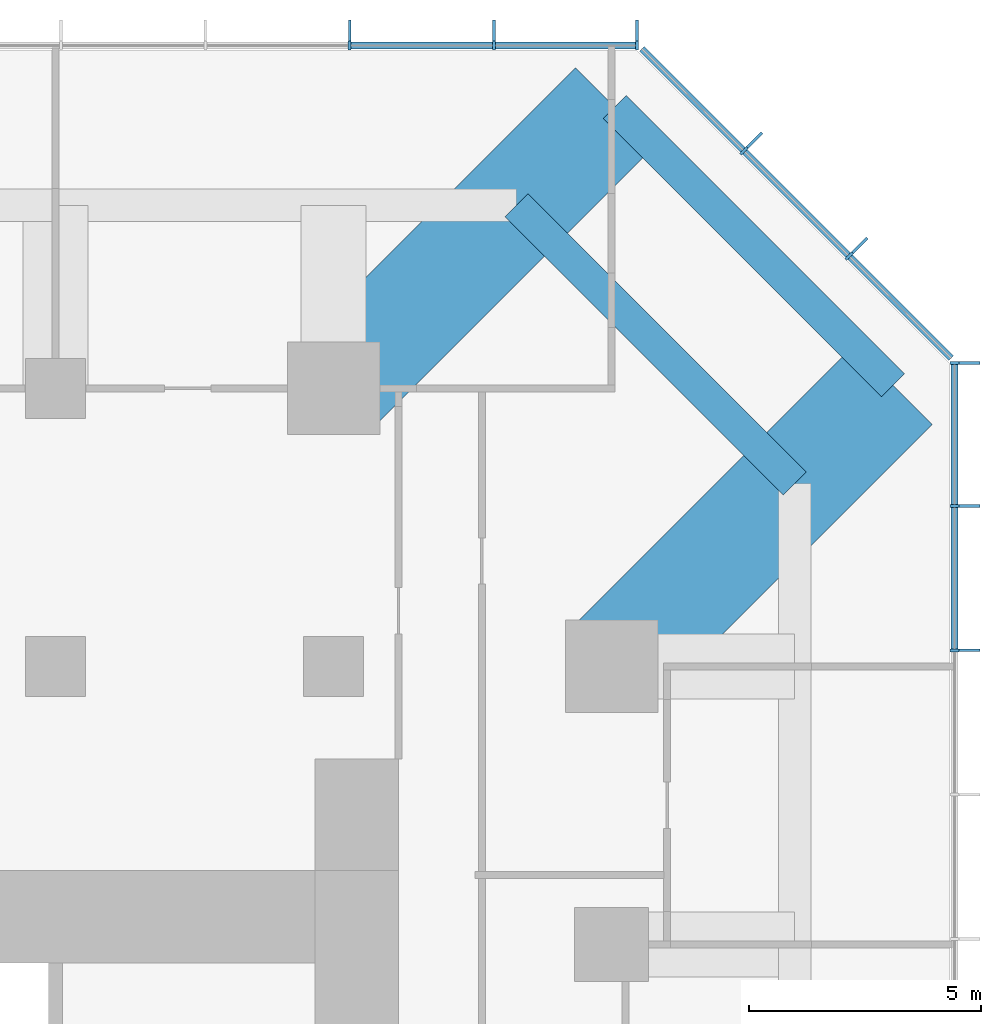
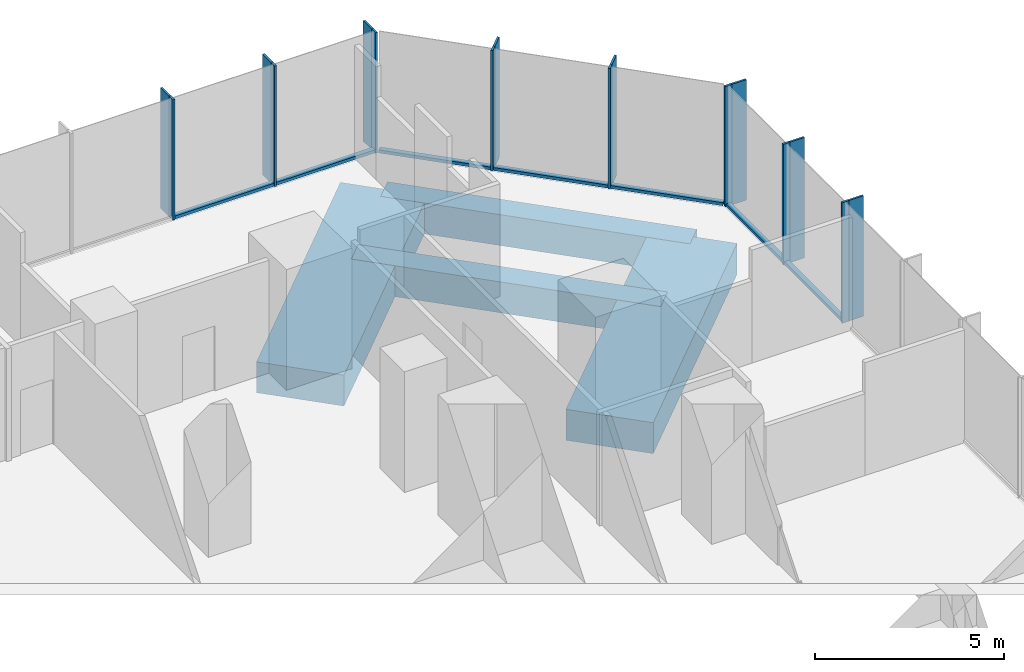
# One storey, part 6 of 11: 23 members, 4 beams, 3 elements without a shape of their own.
"""IFC4 building model written with IfcOpenShell, lengths in metres."""

from ifc_helpers import new_model, si_unit, direction, frame, origin, origin_2d, place, context, subcontext, project, spatial, rectangle, extrude, material, layer, layer_set, material_profile, profile_set, type_object, element, aggregate, save


model = new_model("IFC4")

# Units and contexts
model_context = context("Model", 3, precision=1e-05, world=origin(), true_north=direction((0.0, 1.0)))
body_context = subcontext(model_context, "Body", "Model", "MODEL_VIEW")
ifc_project = project(units=[si_unit("LENGTHUNIT", "METRE"), si_unit("AREAUNIT", "SQUARE_METRE"), si_unit("VOLUMEUNIT", "CUBIC_METRE"), si_unit("PLANEANGLEUNIT", "RADIAN"), si_unit("MASSUNIT", "GRAM", prefix="KILO")], contexts=[model_context])

# Site, building, storey
site_placement = place(None, origin())
site = spatial("IfcSite", under=ifc_project, at=site_placement, CompositionType="ELEMENT")
building_placement = place(site_placement, origin())
building = spatial("IfcBuilding", under=site, at=building_placement, Name="Highveld Stack Headquarters", CompositionType="ELEMENT")
storey_placement = place(building_placement, frame((0.0, 0.0, 173.300048828125)))
storey = spatial("IfcBuildingStorey", under=building, at=storey_placement, Name="L42", CompositionType="ELEMENT", Elevation=173.300048828125)

# Beams
ifc_material_1 = material(Name="Concrete C60/75", Category="concrete")
ifc_material_profile_1 = material_profile(ifc_material_1, rectangle(XDim=2.39990234375, YDim=1.0, at=origin_2d()), Name="RC 2400x1000")
ifc_profile_set_1 = profile_set([ifc_material_profile_1], Name="Concrete C60/75")
beam_type_1 = type_object("IfcBeamType", Name="CANTILEVER RIB RC 2400x1000", PredefinedType="USERDEFINED", material=ifc_profile_set_1)
for number, where, z_axis, x_axis, name in (
    (1, (18.0, 24.0, -0.75), (0.707106781187, 0.707106781187, 0.0), (-0.707106781187, 0.707106781187, 0.0), "Cantilever rib 9/J L42"),
    (2, (24.0, 18.0, -0.75), (0.707106781187, 0.707106781187, 0.0), (-0.707106781187, 0.707106781187, 0.0), "Cantilever rib 10/H L42"),
):
    element("IfcBeam", number, at=place(storey_placement, frame(where, z_axis=z_axis, x_axis=x_axis)), inside=storey, type_object=beam_type_1, Name=name, ObjectType="CANTILEVER RIB", PredefinedType="USERDEFINED", context=body_context, shape_type="SweptSolid", body=[
        extrude(rectangle(XDim=2.39990234375, YDim=1.0, at=origin_2d()), origin(), (0.0, 0.0, 1.0), 8.585693359375),
    ])

# Curtain wall, members
ifc_material_2 = material(Name="Aluminium bronze anodised", Category="aluminium")
ifc_layer_1 = layer(ifc_material_2, 0.199951171875)
ifc_layer_set_1 = layer_set([ifc_layer_1], Name="Aluminium bronze anodised")
curtain_wall_type_1 = type_object("IfcCurtainWallType", Name="CW1 TOWER UNITISED CURTAIN WALL", PredefinedType="NOTDEFINED", material=ifc_layer_set_1)
curtain_wall_1_placement = place(storey_placement, origin())
curtain_wall_1 = element("IfcCurtainWall", 3, at=curtain_wall_1_placement, inside=storey, type_object=curtain_wall_type_1, Name="Curtain wall CW1 L42 E", PredefinedType="NOTDEFINED")
ifc_material_3 = material(Name="Aluminium bronze anodised", Category="aluminium")
ifc_material_profile_2 = material_profile(ifc_material_3, rectangle(XDim=0.449951171875, YDim=0.06005859375, at=origin_2d()), Name="FIN 450x60")
ifc_profile_set_2 = profile_set([ifc_material_profile_2], Name="Aluminium bronze anodised")
member_type_1 = type_object("IfcMemberType", Name="CW1 BRONZE FIN 450x60", PredefinedType="USERDEFINED", material=ifc_profile_set_2)
member_1_placement = place(storey_placement, frame((31.72509765625, 18.347900390625, 0.0), z_axis=(0.0, 0.0, 1.0), x_axis=(-1.0, 0.0, 0.0)))
member_1 = element("IfcMember", 4, at=member_1_placement, type_object=member_type_1, Name="CW1 fin L42 9", ObjectType="FIN", PredefinedType="USERDEFINED", context=body_context, shape_type="SweptSolid", body=[
    extrude(rectangle(XDim=0.449951171875, YDim=0.06005859375, at=origin_2d()), origin(), (0.0, 0.0, 1.0), 3.89990234375),
])
member_2_placement = place(storey_placement, frame((31.72509765625, 21.4638671875, 0.0), z_axis=(0.0, 0.0, 1.0), x_axis=(-1.0, 0.0, 0.0)))
member_2 = element("IfcMember", 5, at=member_2_placement, type_object=member_type_1, Name="CW1 fin L42 10", ObjectType="FIN", PredefinedType="USERDEFINED", context=body_context, shape_type="SweptSolid", body=[
    extrude(rectangle(XDim=0.449951171875, YDim=0.06005859375, at=origin_2d()), origin(), (0.0, 0.0, 1.0), 3.89990234375),
])
member_3_placement = place(storey_placement, frame((31.72509765625, 24.54736328125, 0.0), z_axis=(0.0, 0.0, 1.0), x_axis=(-1.0, 0.0, 0.0)))
member_3 = element("IfcMember", 6, at=member_3_placement, type_object=member_type_1, Name="CW1 fin L42 11", ObjectType="FIN", PredefinedType="USERDEFINED", context=body_context, shape_type="SweptSolid", body=[
    extrude(rectangle(XDim=0.449951171875, YDim=0.06005859375, at=origin_2d()), origin(), (0.0, 0.0, 1.0), 3.89990234375),
])

curtain_wall_2_placement = place(storey_placement, origin())
curtain_wall_2 = element("IfcCurtainWall", 7, at=curtain_wall_2_placement, inside=storey, type_object=curtain_wall_type_1, Name="Curtain wall CW1 L42 N", PredefinedType="NOTDEFINED")
member_4_placement = place(storey_placement, frame((24.54736328125, 31.72509765625, 0.0), z_axis=(0.0, 0.0, 1.0), x_axis=(0.0, -1.0, 0.0)))
member_4 = element("IfcMember", 8, at=member_4_placement, type_object=member_type_1, Name="CW1 fin L42 1", ObjectType="FIN", PredefinedType="USERDEFINED", context=body_context, shape_type="SweptSolid", body=[
    extrude(rectangle(XDim=0.449951171875, YDim=0.06005859375, at=origin_2d()), origin(), (0.0, 0.0, 1.0), 3.89990234375),
])
member_5_placement = place(storey_placement, frame((21.4638671875, 31.72509765625, 0.0), z_axis=(0.0, 0.0, 1.0), x_axis=(0.0, -1.0, 0.0)))
member_5 = element("IfcMember", 9, at=member_5_placement, type_object=member_type_1, Name="CW1 fin L42 2", ObjectType="FIN", PredefinedType="USERDEFINED", context=body_context, shape_type="SweptSolid", body=[
    extrude(rectangle(XDim=0.449951171875, YDim=0.06005859375, at=origin_2d()), origin(), (0.0, 0.0, 1.0), 3.89990234375),
])
member_6_placement = place(storey_placement, frame((18.347900390625, 31.72509765625, 0.0), z_axis=(0.0, 0.0, 1.0), x_axis=(0.0, -1.0, 0.0)))
member_6 = element("IfcMember", 10, at=member_6_placement, type_object=member_type_1, Name="CW1 fin L42 3", ObjectType="FIN", PredefinedType="USERDEFINED", context=body_context, shape_type="SweptSolid", body=[
    extrude(rectangle(XDim=0.449951171875, YDim=0.06005859375, at=origin_2d()), origin(), (0.0, 0.0, 1.0), 3.89990234375),
])

# Member
ifc_material_4 = material(Name="Aluminium bronze anodised", Category="aluminium")
ifc_material_profile_3 = material_profile(ifc_material_4, rectangle(XDim=0.199951171875, YDim=0.06494140625, at=origin_2d()), Name="CW1 MULLION 65x200")
ifc_profile_set_3 = profile_set([ifc_material_profile_3], Name="Aluminium bronze anodised")
member_type_2 = type_object("IfcMemberType", Name="CW1 MULLION 65x200", PredefinedType="MULLION", material=ifc_profile_set_3)
member_7_placement = place(storey_placement, frame((31.39990234375, 18.347900390625, 0.0), z_axis=(0.0, 0.0, 1.0), x_axis=(-1.0, 0.0, 0.0)))
member_7 = element("IfcMember", 11, at=member_7_placement, type_object=member_type_2, Name="CW1 mullion L42 9", PredefinedType="MULLION", context=body_context, shape_type="SweptSolid", body=[
    extrude(rectangle(XDim=0.199951171875, YDim=0.06494140625, at=origin_2d()), origin(), (0.0, 0.0, 1.0), 3.89990234375),
])

member_8_placement = place(storey_placement, frame((31.39990234375, 21.4638671875, 0.0), z_axis=(0.0, 0.0, 1.0), x_axis=(-1.0, 0.0, 0.0)))
member_8 = element("IfcMember", 12, at=member_8_placement, type_object=member_type_2, Name="CW1 mullion L42 10", PredefinedType="MULLION", context=body_context, shape_type="SweptSolid", body=[
    extrude(rectangle(XDim=0.199951171875, YDim=0.06494140625, at=origin_2d()), origin(), (0.0, 0.0, 1.0), 3.89990234375),
])

member_9_placement = place(storey_placement, frame((31.39990234375, 24.54736328125, 0.0), z_axis=(0.0, 0.0, 1.0), x_axis=(-1.0, 0.0, 0.0)))
member_9 = element("IfcMember", 13, at=member_9_placement, type_object=member_type_2, Name="CW1 mullion L42 11", PredefinedType="MULLION", context=body_context, shape_type="SweptSolid", body=[
    extrude(rectangle(XDim=0.199951171875, YDim=0.06494140625, at=origin_2d()), origin(), (0.0, 0.0, 1.0), 3.89990234375),
])

member_10_placement = place(storey_placement, frame((24.54736328125, 31.39990234375, 0.0), z_axis=(0.0, 0.0, 1.0), x_axis=(0.0, -1.0, 0.0)))
member_10 = element("IfcMember", 14, at=member_10_placement, type_object=member_type_2, Name="CW1 mullion L42 1", PredefinedType="MULLION", context=body_context, shape_type="SweptSolid", body=[
    extrude(rectangle(XDim=0.199951171875, YDim=0.06494140625, at=origin_2d()), origin(), (0.0, 0.0, 1.0), 3.89990234375),
])

member_11_placement = place(storey_placement, frame((21.4638671875, 31.39990234375, 0.0), z_axis=(0.0, 0.0, 1.0), x_axis=(0.0, -1.0, 0.0)))
member_11 = element("IfcMember", 15, at=member_11_placement, type_object=member_type_2, Name="CW1 mullion L42 2", PredefinedType="MULLION", context=body_context, shape_type="SweptSolid", body=[
    extrude(rectangle(XDim=0.199951171875, YDim=0.06494140625, at=origin_2d()), origin(), (0.0, 0.0, 1.0), 3.89990234375),
])

member_12_placement = place(storey_placement, frame((18.347900390625, 31.39990234375, 0.0), z_axis=(0.0, 0.0, 1.0), x_axis=(0.0, -1.0, 0.0)))
member_12 = element("IfcMember", 16, at=member_12_placement, type_object=member_type_2, Name="CW1 mullion L42 3", PredefinedType="MULLION", context=body_context, shape_type="SweptSolid", body=[
    extrude(rectangle(XDim=0.199951171875, YDim=0.06494140625, at=origin_2d()), origin(), (0.0, 0.0, 1.0), 3.89990234375),
])

ifc_material_5 = material(Name="Aluminium bronze anodised", Category="aluminium")
ifc_material_profile_4 = material_profile(ifc_material_5, rectangle(XDim=0.14990234375, YDim=0.10009765625, at=origin_2d()), Name="CW1 TRANSOM 150x100")
ifc_profile_set_4 = profile_set([ifc_material_profile_4], Name="Aluminium bronze anodised")
member_type_3 = type_object("IfcMemberType", Name="CW1 STACK TRANSOM 150x100", PredefinedType="USERDEFINED", material=ifc_profile_set_4)
member_13_placement = place(storey_placement, frame((31.39990234375, 18.38037109375, 0.050048828125), z_axis=(0.0, 1.0, 0.0), x_axis=(-1.0, 0.0, 0.0)))
member_13 = element("IfcMember", 17, at=member_13_placement, type_object=member_type_3, Name="CW1 transom L42 9.1", ObjectType="TRANSOM", PredefinedType="USERDEFINED", context=body_context, shape_type="SweptSolid", body=[
    extrude(rectangle(XDim=0.14990234375, YDim=0.10009765625, at=origin_2d()), origin(), (0.0, 0.0, 1.0), 3.051025390625),
])

member_14_placement = place(storey_placement, frame((31.39990234375, 21.496337890625, 0.050048828125), z_axis=(0.0, 1.0, 0.0), x_axis=(-1.0, 0.0, 0.0)))
member_14 = element("IfcMember", 18, at=member_14_placement, type_object=member_type_3, Name="CW1 transom L42 10.1", ObjectType="TRANSOM", PredefinedType="USERDEFINED", context=body_context, shape_type="SweptSolid", body=[
    extrude(rectangle(XDim=0.14990234375, YDim=0.10009765625, at=origin_2d()), origin(), (0.0, 0.0, 1.0), 3.0185546875),
])

aggregate(curtain_wall_1, [member_7, member_1, member_8, member_2, member_9, member_3, member_13, member_14])

member_15_placement = place(storey_placement, frame((24.514892578125, 31.39990234375, 0.050048828125), z_axis=(-1.0, 0.0, 0.0), x_axis=(0.0, -1.0, 0.0)))
member_15 = element("IfcMember", 19, at=member_15_placement, type_object=member_type_3, Name="CW1 transom L42 1.1", ObjectType="TRANSOM", PredefinedType="USERDEFINED", context=body_context, shape_type="SweptSolid", body=[
    extrude(rectangle(XDim=0.14990234375, YDim=0.10009765625, at=origin_2d()), origin(), (0.0, 0.0, 1.0), 3.0185546875),
])

member_16_placement = place(storey_placement, frame((21.431396484375, 31.39990234375, 0.050048828125), z_axis=(-1.0, 0.0, 0.0), x_axis=(0.0, -1.0, 0.0)))
member_16 = element("IfcMember", 20, at=member_16_placement, type_object=member_type_3, Name="CW1 transom L42 2.1", ObjectType="TRANSOM", PredefinedType="USERDEFINED", context=body_context, shape_type="SweptSolid", body=[
    extrude(rectangle(XDim=0.14990234375, YDim=0.10009765625, at=origin_2d()), origin(), (0.0, 0.0, 1.0), 3.051025390625),
])

aggregate(curtain_wall_2, [member_10, member_4, member_11, member_5, member_12, member_6, member_15, member_16])

# Curtain wall, members
ifc_material_6 = material(Name="Aluminium bronze anodised", Category="aluminium")
ifc_layer_2 = layer(ifc_material_6, 0.199951171875)
ifc_layer_set_2 = layer_set([ifc_layer_2], Name="Aluminium bronze anodised")
curtain_wall_type_2 = type_object("IfcCurtainWallType", Name="CW2 TOWER CHAMFER UNITISED CURTAIN WALL", PredefinedType="NOTDEFINED", material=ifc_layer_set_2)
curtain_wall_3_placement = place(storey_placement, origin())
curtain_wall_3 = element("IfcCurtainWall", 21, at=curtain_wall_3_placement, inside=storey, type_object=curtain_wall_type_2, Name="Curtain wall CW2 L42 NE", PredefinedType="NOTDEFINED")
ifc_material_7 = material(Name="Aluminium bronze anodised", Category="aluminium")
ifc_material_profile_5 = material_profile(ifc_material_7, rectangle(XDim=0.449951171875, YDim=0.06005859375, at=origin_2d()), Name="FIN 450x60")
ifc_profile_set_5 = profile_set([ifc_material_profile_5], Name="Aluminium bronze anodised")
member_type_4 = type_object("IfcMemberType", Name="CW2 BRONZE FIN 450x60", PredefinedType="USERDEFINED", material=ifc_profile_set_5)
member_17_placement = place(storey_placement, frame((29.3564453125, 27.0830078125, 0.0), z_axis=(0.0, 0.0, 1.0), x_axis=(-0.707106781187, -0.707106781187, 0.0)))
member_17 = element("IfcMember", 22, at=member_17_placement, type_object=member_type_4, Name="CW2 fin L42 1", ObjectType="FIN", PredefinedType="USERDEFINED", context=body_context, shape_type="SweptSolid", body=[
    extrude(rectangle(XDim=0.449951171875, YDim=0.06005859375, at=origin_2d()), origin(), (0.0, 0.0, 1.0), 3.89990234375),
])
member_18_placement = place(storey_placement, frame((27.0830078125, 29.3564453125, 0.0), z_axis=(0.0, 0.0, 1.0), x_axis=(-0.707106781187, -0.707106781187, 0.0)))
member_18 = element("IfcMember", 23, at=member_18_placement, type_object=member_type_4, Name="CW2 fin L42 2", ObjectType="FIN", PredefinedType="USERDEFINED", context=body_context, shape_type="SweptSolid", body=[
    extrude(rectangle(XDim=0.449951171875, YDim=0.06005859375, at=origin_2d()), origin(), (0.0, 0.0, 1.0), 3.89990234375),
])
ifc_material_8 = material(Name="Aluminium bronze anodised", Category="aluminium")
ifc_material_profile_6 = material_profile(ifc_material_8, rectangle(XDim=0.199951171875, YDim=0.06494140625, at=origin_2d()), Name="CW2 MULLION 65x200")
ifc_profile_set_6 = profile_set([ifc_material_profile_6], Name="Aluminium bronze anodised")
member_type_5 = type_object("IfcMemberType", Name="CW2 MULLION 65x200", PredefinedType="MULLION", material=ifc_profile_set_6)
member_19_placement = place(storey_placement, frame((29.126708984375, 26.853271484375, 0.0), z_axis=(0.0, 0.0, 1.0), x_axis=(-0.707106781187, -0.707106781187, 0.0)))
member_19 = element("IfcMember", 24, at=member_19_placement, type_object=member_type_5, Name="CW2 mullion L42 1", PredefinedType="MULLION", context=body_context, shape_type="SweptSolid", body=[
    extrude(rectangle(XDim=0.199951171875, YDim=0.06494140625, at=origin_2d()), origin(), (0.0, 0.0, 1.0), 3.89990234375),
])
member_20_placement = place(storey_placement, frame((26.853271484375, 29.126708984375, 0.0), z_axis=(0.0, 0.0, 1.0), x_axis=(-0.707106781187, -0.707106781187, 0.0)))
member_20 = element("IfcMember", 25, at=member_20_placement, type_object=member_type_5, Name="CW2 mullion L42 2", PredefinedType="MULLION", context=body_context, shape_type="SweptSolid", body=[
    extrude(rectangle(XDim=0.199951171875, YDim=0.06494140625, at=origin_2d()), origin(), (0.0, 0.0, 1.0), 3.89990234375),
])
ifc_material_9 = material(Name="Aluminium bronze anodised", Category="aluminium")
ifc_material_profile_7 = material_profile(ifc_material_9, rectangle(XDim=0.14990234375, YDim=0.10009765625, at=origin_2d()), Name="CW2 TRANSOM 150x100")
ifc_profile_set_7 = profile_set([ifc_material_profile_7], Name="Aluminium bronze anodised")
member_type_6 = type_object("IfcMemberType", Name="CW2 STACK TRANSOM 150x100", PredefinedType="USERDEFINED", material=ifc_profile_set_7)
member_21_placement = place(storey_placement, frame((31.329345703125, 24.650634765625, 0.050048828125), z_axis=(-0.707106781187, 0.707106781187, 0.0), x_axis=(-0.707106781187, -0.707106781187, 0.0)))
member_21 = element("IfcMember", 26, at=member_21_placement, type_object=member_type_6, Name="CW2 transom L42 1.1", ObjectType="TRANSOM", PredefinedType="USERDEFINED", context=body_context, shape_type="SweptSolid", body=[
    extrude(rectangle(XDim=0.14990234375, YDim=0.10009765625, at=origin_2d()), origin(), (0.0, 0.0, 1.0), 3.08251953125),
])
member_22_placement = place(storey_placement, frame((29.103759765625, 26.876220703125, 0.050048828125), z_axis=(-0.707106781187, 0.707106781187, 0.0), x_axis=(-0.707106781187, -0.707106781187, 0.0)))
member_22 = element("IfcMember", 27, at=member_22_placement, type_object=member_type_6, Name="CW2 transom L42 2.1", ObjectType="TRANSOM", PredefinedType="USERDEFINED", context=body_context, shape_type="SweptSolid", body=[
    extrude(rectangle(XDim=0.14990234375, YDim=0.10009765625, at=origin_2d()), origin(), (0.0, 0.0, 1.0), 3.150146484375),
])
member_23_placement = place(storey_placement, frame((26.830322265625, 29.149658203125, 0.050048828125), z_axis=(-0.707106781187, 0.707106781187, 0.0), x_axis=(-0.707106781187, -0.707106781187, 0.0)))
member_23 = element("IfcMember", 28, at=member_23_placement, type_object=member_type_6, Name="CW2 transom L42 3.1", ObjectType="TRANSOM", PredefinedType="USERDEFINED", context=body_context, shape_type="SweptSolid", body=[
    extrude(rectangle(XDim=0.14990234375, YDim=0.10009765625, at=origin_2d()), origin(), (0.0, 0.0, 1.0), 3.08251953125),
])
aggregate(curtain_wall_3, [member_19, member_17, member_20, member_18, member_21, member_22, member_23])

# Beams
ifc_material_10 = material(Name="Concrete C60/75", Category="concrete")
ifc_material_profile_8 = material_profile(ifc_material_10, rectangle(XDim=0.699951171875, YDim=1.0, at=origin_2d()), Name="RC 700x1000")
ifc_profile_set_8 = profile_set([ifc_material_profile_8], Name="Concrete C60/75")
beam_type_2 = type_object("IfcBeamType", Name="RIB TIP BEAM RC 700x1000", PredefinedType="SPANDREL", material=ifc_profile_set_8)
for number, where, z_axis, x_axis, name in (
    (29, (21.949951171875, 27.949951171875, -0.75), (0.707106781187, -0.707106781187, 0.0), (0.707106781187, 0.707106781187, 0.0), "Rib tip beam 9/J to 10/H chamfer L42"),
    (30, (24.071044921875, 30.071044921875, -0.75), (0.707106781187, -0.707106781187, 0.0), (0.707106781187, 0.707106781187, 0.0), "Rib tip beam 9/J to 10/H chamfer edge L42"),
):
    element("IfcBeam", number, at=place(storey_placement, frame(where, z_axis=z_axis, x_axis=x_axis)), inside=storey, type_object=beam_type_2, Name=name, PredefinedType="SPANDREL", context=body_context, shape_type="SweptSolid", body=[
        extrude(rectangle(XDim=0.699951171875, YDim=1.0, at=origin_2d()), origin(), (0.0, 0.0, 1.0), 8.4853515625),
    ])

save(model, "model.ifc")
